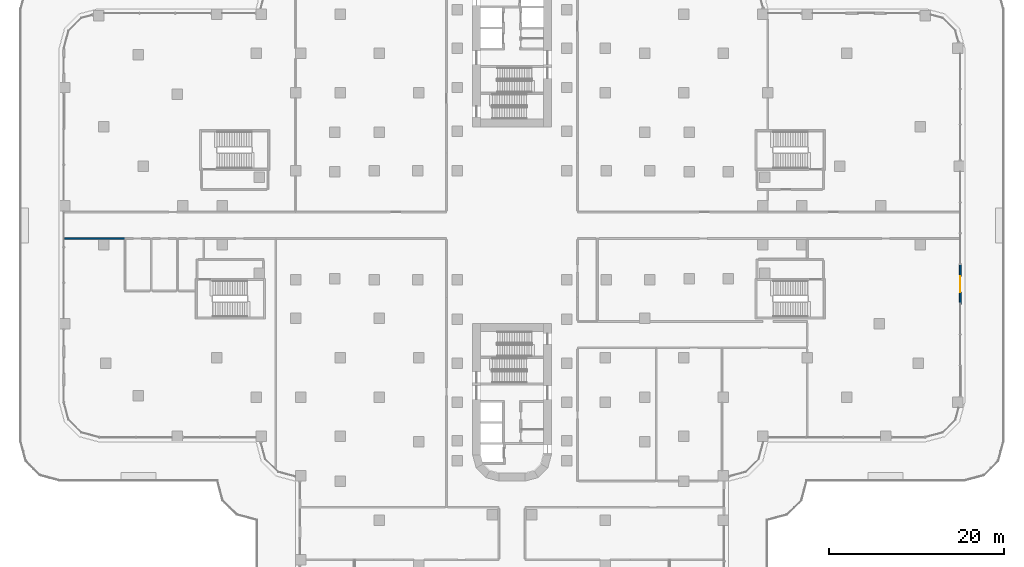
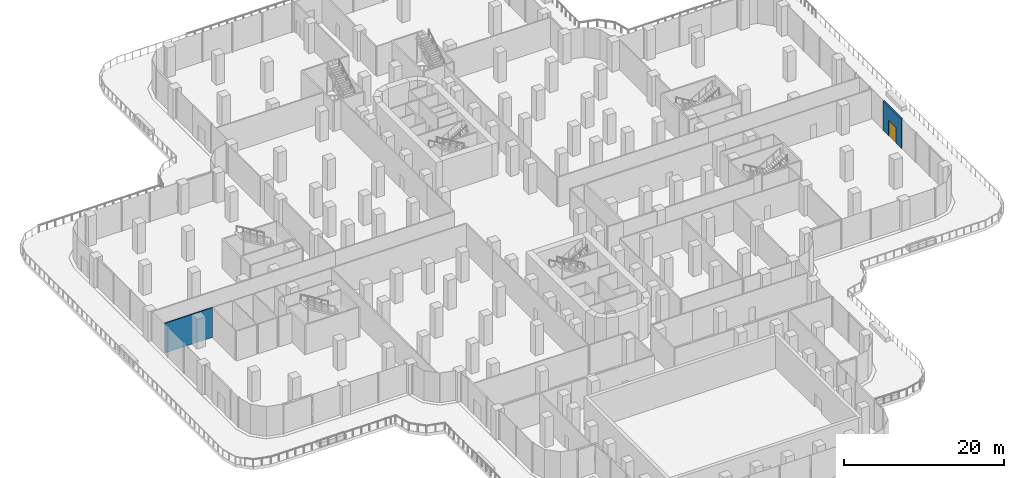
# One storey, part 19 of 30: 2 walls, 1 door, 1 opening.
"""IFC4 building model written with IfcOpenShell, lengths in metres."""

from ifc_helpers import new_model, si_unit, direction, frame, frame_2d, origin, place, context, subcontext, project, spatial, rectangle, extrude, material, layer, layer_set, type_object, element, fill, save


model = new_model("IFC4")

# Units and contexts
model_context = context("Model", 3, precision=1e-05, world=origin(), true_north=direction((0.0, 1.0)))
body_context = subcontext(model_context, "Body", "Model", "MODEL_VIEW")
ifc_project = project(units=[si_unit("LENGTHUNIT", "METRE"), si_unit("AREAUNIT", "SQUARE_METRE"), si_unit("VOLUMEUNIT", "CUBIC_METRE"), si_unit("PLANEANGLEUNIT", "RADIAN"), si_unit("MASSUNIT", "GRAM", prefix="KILO")], contexts=[model_context])

# Site, building, storey
site_placement = place(None, origin())
site = spatial("IfcSite", under=ifc_project, at=site_placement, CompositionType="ELEMENT")
building_placement = place(site_placement, origin())
building = spatial("IfcBuilding", under=site, at=building_placement, Name="Zarbagh Exchange Tower", CompositionType="ELEMENT")
storey_placement = place(building_placement, frame((0.0, 0.0, 7.0)))
storey = spatial("IfcBuildingStorey", under=building, at=storey_placement, Name="L01", CompositionType="ELEMENT", Elevation=7.0)

# Wall
ifc_material_1 = material(Name="Plasterboard partition")
ifc_layer_1 = layer(ifc_material_1, 0.14990234375)
ifc_layer_set_1 = layer_set([ifc_layer_1], Name="Board partition 150")
wall_type_1 = type_object("IfcWallType", Name="Board partition 150", PredefinedType="PARTITIONING", material=ifc_layer_set_1)
wall_1_placement = place(storey_placement, frame((-44.25, -1.5, 0.0), z_axis=(0.0, 0.0, 1.0), x_axis=(-1.0, 0.0, 0.0)))
element("IfcWall", 1, at=wall_1_placement, inside=storey, type_object=wall_type_1, Name="WL-L01-W077", PredefinedType="PARTITIONING", context=body_context, shape_type="SweptSolid", body=[
    extrude(rectangle(XDim=6.89990234375, YDim=0.14990234375, at=frame_2d((3.449951171875, 0.0))), origin(), (0.0, 0.0, 1.0), 4.550048828125),
])

# Wall, opening, door
ifc_material_2 = material(Name="Precast concrete C50/60", Category="concrete")
ifc_layer_2 = layer(ifc_material_2, 0.199951171875)
ifc_layer_set_2 = layer_set([ifc_layer_2], Name="Terrace door wall, precast concrete C50/60")
wall_type_2 = type_object("IfcWallType", Name="Terrace door wall, precast concrete C50/60", PredefinedType="SOLIDWALL", material=ifc_layer_set_2)
wall_2_placement = place(storey_placement, frame((51.25, -9.0400390625, 0.0), z_axis=(0.0, 0.0, 1.0), x_axis=(0.0, 1.0, 0.0)))
wall_2 = element("IfcWall", 2, at=wall_2_placement, inside=storey, type_object=wall_type_2, Name="TW03 door wall", PredefinedType="SOLIDWALL", context=body_context, shape_type="SweptSolid", body=[
    extrude(rectangle(XDim=4.580078125, YDim=0.199951171875, at=frame_2d((2.2900390625, 0.0))), origin(), (0.0, 0.0, 1.0), 4.550048828125),
])
opening_placement = place(wall_2_placement, frame((1.389892578125, 0.0, 0.0)))
opening = element("IfcOpeningElement", 3, at=opening_placement, cuts=wall_2, Name="Opening TD03", PredefinedType="OPENING", context=body_context, shape_type="SweptSolid", body=[
    extrude(rectangle(XDim=1.800048828125, YDim=2.39990234375, at=frame_2d((0.89990234375, 1.199951171875))), frame((0.0, 0.10986328125, 0.0), z_axis=(0.0, -1.0, 0.0), x_axis=(1.0, 0.0, 0.0)), (0.0, 0.0, 1.0), 0.219970703125),
])
ifc_material_3 = material(Name="Anodised aluminium and glass", Category="aluminium")
door_type = type_object("IfcDoorType", Name="Terrace door, double leaf, aluminium and glass", OperationType="DOUBLE_DOOR_DOUBLE_SWING", PredefinedType="DOOR", material=ifc_material_3)
door_placement = place(opening_placement, origin())
door = element("IfcDoor", 4, at=door_placement, inside=storey, type_object=door_type, Name="TD03 terrace door", OperationType="SINGLE_SWING_LEFT", OverallHeight=2.39990234375, OverallWidth=1.800048828125, PredefinedType="DOOR", context=body_context, shape_type="SweptSolid", body=[
    extrude(rectangle(XDim=1.800048828125, YDim=2.39990234375, at=frame_2d((0.89990234375, 1.199951171875))), frame((0.0, 0.02490234375, 0.0), z_axis=(0.0, -1.0, 0.0), x_axis=(1.0, 0.0, 0.0)), (0.0, 0.0, 1.0), 0.050048828125),
])
fill(opening, door)

save(model, "model.ifc")
